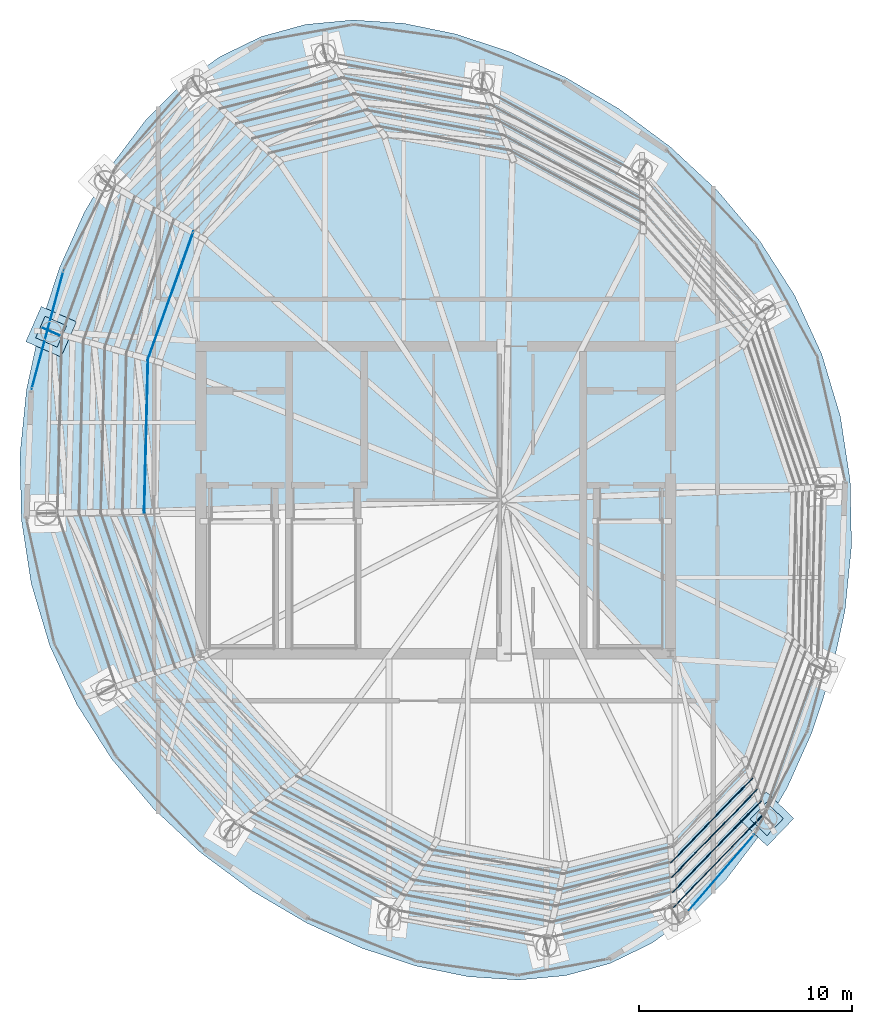
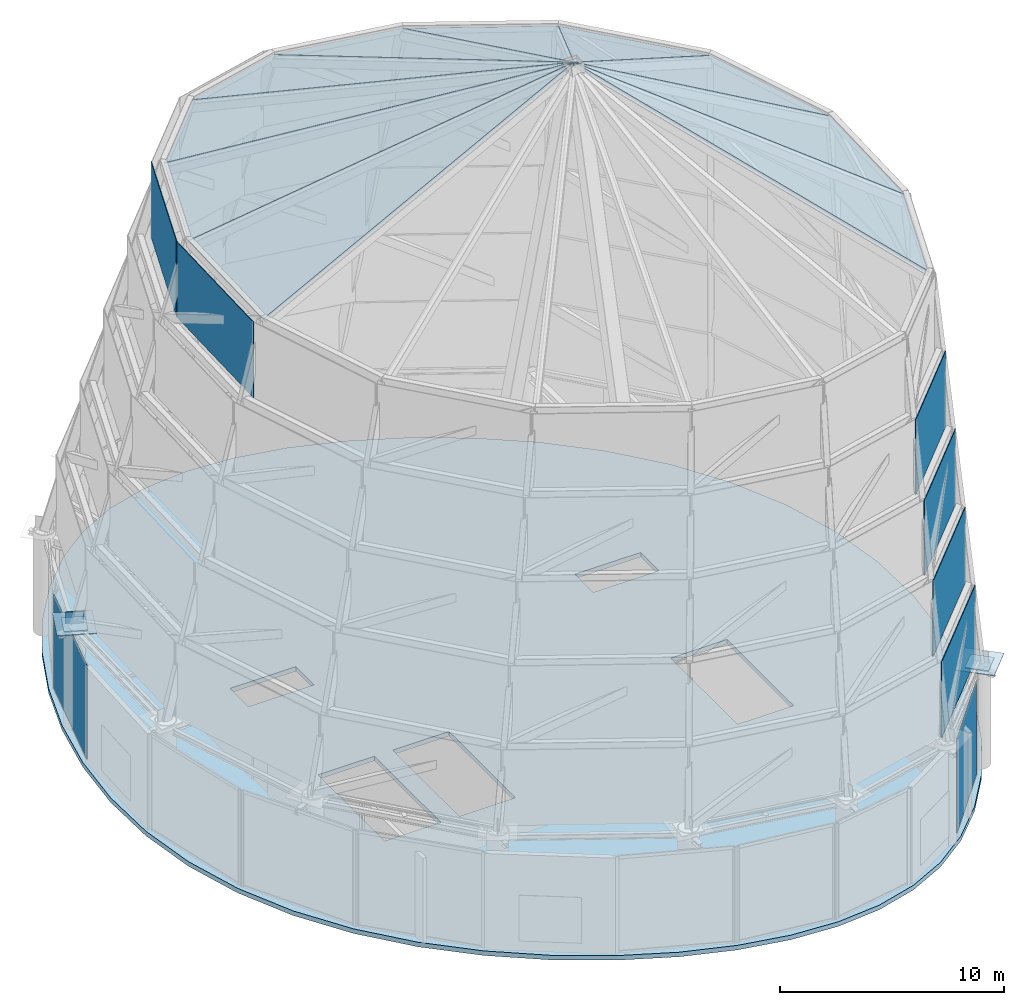
# One storey, part 36 of 40: 13 plates, 11 slabs, 2 elements without a shape of their own.
"""IFC4 building model written with IfcOpenShell, lengths in metres."""

from ifc_helpers import new_model, si_unit, direction, frame, origin, origin_2d, place, context, subcontext, project, spatial, polyline, rectangle, outline, extrude, material, layer, layer_set, type_object, element, aggregate, save


model = new_model("IFC4")

# Units and contexts
model_context = context("Model", 3, precision=1e-05, world=origin(), true_north=direction((0.0, 1.0)))
body_context = subcontext(model_context, "Body", "Model", "MODEL_VIEW")
ifc_project = project(units=[si_unit("LENGTHUNIT", "METRE"), si_unit("AREAUNIT", "SQUARE_METRE"), si_unit("VOLUMEUNIT", "CUBIC_METRE"), si_unit("PLANEANGLEUNIT", "RADIAN"), si_unit("MASSUNIT", "GRAM", prefix="KILO")], contexts=[model_context])

# Site, building, storey
site_placement = place(None, origin())
site = spatial("IfcSite", under=ifc_project, at=site_placement, CompositionType="ELEMENT")
building_placement = place(site_placement, origin())
building = spatial("IfcBuilding", under=site, at=building_placement, Name="Bramvorn Convention Spire", CompositionType="ELEMENT")
storey_placement = place(building_placement, frame((0.0, 0.0, 312.5)))
storey = spatial("IfcBuildingStorey", under=building, at=storey_placement, Name="L79", CompositionType="ELEMENT", Elevation=312.5)

# Plates
ifc_material_1 = material(Name="Steel CSA G40.21 Grade 350 (350W)", Category="steel")
ifc_layer_1 = layer(ifc_material_1, 0.044921875)
ifc_layer_set_1 = layer_set([ifc_layer_1], Name="Steel CSA G40.21 Grade 350 (350W) - PLT-NODE-CAP-45")
plate_type_1 = type_object("IfcPlateType", Name="PLT-NODE-CAP-45", PredefinedType="SHEET", material=ifc_layer_set_1)
for number, where, z_axis, x_axis, name in (
    (1, (53.50634765625, 11.05615234375, 5.5), (0.0, 0.0, 1.0), (0.720048445725, -0.693923796832, 0.0), "L79 CFT mega-column MC02 transition cap plate"),
    (2, (19.976318359375, 33.883544921875, 5.5), (0.0, 0.0, 1.0), (-0.91619221429, 0.400739100257, 0.0), "L79 CFT mega-column MC11 transition cap plate"),
):
    element("IfcPlate", number, at=place(storey_placement, frame(where, z_axis=z_axis, x_axis=x_axis)), inside=storey, type_object=plate_type_1, Name=name, PredefinedType="SHEET", context=body_context, shape_type="SweptSolid", body=[
        extrude(rectangle(XDim=1.800048828125, YDim=1.800048828125, at=origin_2d()), origin(), (0.0, 0.0, 1.0), 0.044921875),
    ])
ifc_layer_2 = layer(ifc_material_1, 0.034912109375)
ifc_layer_set_2 = layer_set([ifc_layer_2], Name="Steel CSA G40.21 Grade 350 (350W) - PLT-NODE-GUSSET-35")
plate_type_2 = type_object("IfcPlateType", Name="PLT-NODE-GUSSET-35", PredefinedType="USERDEFINED", material=ifc_layer_set_2)
plate_1_placement = place(storey_placement, frame((19.976318359375, 33.883544921875, 5.525146484375), z_axis=(0.0, 0.0, 1.0), x_axis=(-0.91619221429, 0.400739100257, 0.0)))
element("IfcPlate", 3, at=plate_1_placement, inside=storey, type_object=plate_type_2, Name="Crown spire leg 11 vertical gusset plate", ObjectType="GUSSET PLATE", PredefinedType="USERDEFINED", context=body_context, shape_type="SweptSolid", body=[
    extrude(rectangle(XDim=0.85009765625, YDim=0.034912109375, at=origin_2d()), origin(), (0.0, 0.0, 1.0), 0.64990234375),
])
ifc_layer_3 = layer(ifc_material_1, 0.06005859375)
ifc_layer_set_3 = layer_set([ifc_layer_3], Name="Steel CSA G40.21 Grade 350 (350W) - PLT-SPIRE-BASE-60")
plate_type_3 = type_object("IfcPlateType", Name="PLT-SPIRE-BASE-60", PredefinedType="USERDEFINED", material=ifc_layer_set_3)
for number, where, z_axis, x_axis, name in (
    (4, (53.50634765625, 11.05615234375, 5.43994140625), (0.0, 0.0, 1.0), (0.720048445725, -0.693923796832, 0.0), "Crown spire leg 02 anchored base plate"),
    (5, (19.976318359375, 33.883544921875, 5.43994140625), (0.0, 0.0, 1.0), (-0.91619221429, 0.400739100257, 0.0), "Crown spire leg 11 anchored base plate"),
):
    element("IfcPlate", number, at=place(storey_placement, frame(where, z_axis=z_axis, x_axis=x_axis)), inside=storey, type_object=plate_type_3, Name=name, ObjectType="BASE PLATE", PredefinedType="USERDEFINED", context=body_context, shape_type="SweptSolid", body=[
        extrude(rectangle(XDim=1.10009765625, YDim=1.10009765625, at=origin_2d()), origin(), (0.0, 0.0, 1.0), 0.06005859375),
    ])

# Curtain wall, plate
ifc_material_2 = material(Name="Anodised Bronze Unitised Curtain Wall", Category="aluminium")
ifc_layer_4 = layer(ifc_material_2, 0.199951171875)
ifc_layer_set_4 = layer_set([ifc_layer_4], Name="Anodised Bronze Unitised Curtain Wall - CW-CROWN-SPIRE")
curtain_wall_type = type_object("IfcCurtainWallType", Name="CW-CROWN-SPIRE", PredefinedType="USERDEFINED", material=ifc_layer_set_4)
curtain_wall_1_placement = place(storey_placement, origin())
curtain_wall_1 = element("IfcCurtainWall", 6, at=curtain_wall_1_placement, inside=storey, type_object=curtain_wall_type, Name="L79 fritted glass curtain wall 02", ObjectType="UNITISED CURTAIN WALL", PredefinedType="USERDEFINED")
ifc_material_3 = material(Name="Laminated Low-E Glass (Triple IGU High-VLT Low-Iron 22%)", Category="glass")
ifc_layer_5 = layer(ifc_material_3, 0.0419921875)
ifc_layer_set_5 = layer_set([ifc_layer_5], Name="Laminated Low-E Glass (Triple IGU High-VLT Low-Iron 22%) - PNL-IGU-4")
plate_type_4 = type_object("IfcPlateType", Name="PNL-IGU-4", PredefinedType="CURTAIN_PANEL", material=ifc_layer_set_5)
plate_2_placement = place(storey_placement, frame((51.38623046875, 8.550537109375, 0.06005859375), z_axis=(0.0, 0.0, 1.0), x_axis=(-0.6540397527, -0.756460178654, 0.0)))
plate_2 = element("IfcPlate", 7, at=plate_2_placement, type_object=plate_type_4, Name="CW6 panel 1.1", PredefinedType="CURTAIN_PANEL", context=body_context, shape_type="SweptSolid", body=[
    extrude(rectangle(XDim=4.690673828125, YDim=0.028076171875, at=origin_2d()), origin(), (0.0, 0.0, 1.0), 5.1298828125),
])
aggregate(curtain_wall_1, [plate_2])

curtain_wall_2_placement = place(storey_placement, origin())
curtain_wall_2 = element("IfcCurtainWall", 8, at=curtain_wall_2_placement, inside=storey, type_object=curtain_wall_type, Name="L79 fritted glass curtain wall 16", ObjectType="UNITISED CURTAIN WALL", PredefinedType="USERDEFINED")
plate_3_placement = place(storey_placement, frame((19.80908203125, 33.96630859375, 0.06005859375), z_axis=(0.0, 0.0, 1.0), x_axis=(0.259964908545, 0.965618064415, 0.0)))
plate_3 = element("IfcPlate", 9, at=plate_3_placement, type_object=plate_type_4, Name="CW6 panel 1.1", PredefinedType="CURTAIN_PANEL", context=body_context, shape_type="SweptSolid", body=[
    extrude(rectangle(XDim=5.741943359375, YDim=0.028076171875, at=origin_2d()), origin(), (0.0, 0.0, 1.0), 5.1298828125),
])
aggregate(curtain_wall_2, [plate_3])

# Plates
ifc_material_4 = material(Name="Laminated Low-E Glass (Crown Laminated Ceramic-Printed Spandrel Glass)", Category="glass")
ifc_layer_6 = layer(ifc_material_4, 0.031982421875)
ifc_layer_set_6 = layer_set([ifc_layer_6], Name="Laminated Low-E Glass (Crown Laminated Ceramic-Printed Spandrel Glass) - PNL-IGU-6")
plate_type_5 = type_object("IfcPlateType", Name="PNL-IGU-6", PredefinedType="SHEET", material=ifc_layer_set_6)
plate_4_placement = place(storey_placement, frame((51.29296875, 9.1376953125, 5.43994140625), z_axis=(0.0, 0.0, 1.0), x_axis=(0.694999441218, 0.719010275801, 0.0)))
element("IfcPlate", 10, at=plate_4_placement, inside=storey, type_object=plate_type_5, Name="Crown spire ceramic-printed glass cladding panel T1-01", PredefinedType="SHEET", context=body_context, shape_type="SweptSolid", body=[
    extrude(rectangle(XDim=6.204833984375, YDim=0.035888671875, at=origin_2d()), origin(), (0.0, 0.0, 1.0), 4.1201171875),
])
plate_5_placement = place(storey_placement, frame((51.172119140625, 9.755859375, 9.43994140625), z_axis=(0.0, 0.0, 1.0), x_axis=(0.694994610402, 0.719014945263, 0.0)))
element("IfcPlate", 11, at=plate_5_placement, inside=storey, type_object=plate_type_5, Name="Crown spire ceramic-printed glass cladding panel T2-01", PredefinedType="SHEET", context=body_context, shape_type="SweptSolid", body=[
    extrude(rectangle(XDim=5.981689453125, YDim=0.035888671875, at=origin_2d()), origin(), (0.0, 0.0, 1.0), 4.1201171875),
])
plate_6_placement = place(storey_placement, frame((51.051513671875, 10.3740234375, 13.43994140625), z_axis=(0.0, 0.0, 1.0), x_axis=(0.694993828512, 0.719015701031, 0.0)))
element("IfcPlate", 12, at=plate_6_placement, inside=storey, type_object=plate_type_5, Name="Crown spire ceramic-printed glass cladding panel T3-01", PredefinedType="SHEET", context=body_context, shape_type="SweptSolid", body=[
    extrude(rectangle(XDim=5.758544921875, YDim=0.035888671875, at=origin_2d()), origin(), (0.0, 0.0, 1.0), 4.1201171875),
])
plate_7_placement = place(storey_placement, frame((50.9306640625, 10.9921875, 17.43994140625), z_axis=(0.0, 0.0, 1.0), x_axis=(0.695002369004, 0.719007445774, 0.0)))
element("IfcPlate", 13, at=plate_7_placement, inside=storey, type_object=plate_type_5, Name="Crown spire ceramic-printed glass cladding panel T4-01", PredefinedType="SHEET", context=body_context, shape_type="SweptSolid", body=[
    extrude(rectangle(XDim=5.535400390625, YDim=0.035888671875, at=origin_2d()), origin(), (0.0, 0.0, 1.0), 4.1201171875),
])
plate_8_placement = place(storey_placement, frame((25.57080078125, 35.564697265625, 21.43994140625), z_axis=(0.0, 0.0, 1.0), x_axis=(-0.335837131846, -0.941920071382, 0.0)))
element("IfcPlate", 14, at=plate_8_placement, inside=storey, type_object=plate_type_5, Name="Crown spire ceramic-printed glass cladding panel T5-10", PredefinedType="SHEET", context=body_context, shape_type="SweptSolid", body=[
    extrude(rectangle(XDim=6.4013671875, YDim=0.035888671875, at=origin_2d()), origin(), (0.0, 0.0, 1.0), 4.1201171875),
])
plate_9_placement = place(storey_placement, frame((24.427734375, 29.039306640625, 21.43994140625), z_axis=(0.0, 0.0, 1.0), x_axis=(-0.02476829476, -0.99969321873, 0.0)))
element("IfcPlate", 15, at=plate_9_placement, inside=storey, type_object=plate_type_5, Name="Crown spire ceramic-printed glass cladding panel T5-11", PredefinedType="SHEET", context=body_context, shape_type="SweptSolid", body=[
    extrude(rectangle(XDim=7.256103515625, YDim=0.035888671875, at=origin_2d()), origin(), (0.0, 0.0, 1.0), 4.1201171875),
])

# Slabs
ifc_material_5 = material(Name="Concrete C40/50", Category="concrete")
ifc_layer_7 = layer(ifc_material_5, 0.219970703125)
ifc_layer_set_7 = layer_set([ifc_layer_7], Name="Concrete C40/50 - ROOF-SPIRE-220")
slab_type_1 = type_object("IfcSlabType", Name="ROOF-SPIRE-220", PredefinedType="ROOF", material=ifc_layer_set_7)
slab_1_placement = place(storey_placement, frame((52.5029296875, 13.770263671875, 25.5107421875), z_axis=(0.448522352811, -0.159920684775, 0.879348095813), x_axis=(0.335841171636, 0.941918631005, 0.0)))
element("IfcSlab", 16, at=slab_1_placement, inside=storey, type_object=slab_type_1, Name="Crown spire sloped concrete roof facet 02", PredefinedType="ROOF", context=body_context, shape_type="SweptSolid", body=[
    extrude(outline(polyline([(0.0, 0.0), (6.121668147807777, 0.0), (7.711023954473011, 16.733222239597602), (0.0, 0.0)])), origin(), (0.0, 0.0, -1.0), 0.219970703125),
])
slab_2_placement = place(storey_placement, frame((54.561767578125, 19.553466796875, 25.5107421875), z_axis=(0.508654946454, -0.01261009875, 0.860878116145), x_axis=(0.024783452041, 0.99969284308, 0.0)))
element("IfcSlab", 17, at=slab_2_placement, inside=storey, type_object=slab_type_1, Name="Crown spire sloped concrete roof facet 03", PredefinedType="ROOF", context=body_context, shape_type="SweptSolid", body=[
    extrude(outline(polyline([(0.0, 0.0), (6.954772925382541, 0.0), (6.106480514601339, 15.66006622351063), (0.0, 0.0)])), origin(), (0.0, 0.0, -1.0), 0.219970703125),
])
slab_3_placement = place(storey_placement, frame((54.731201171875, 26.524658203125, 25.5107421875), z_axis=(0.496372146483, 0.167960149061, 0.851706569497), x_axis=(-0.320523009442, 0.947240729919, 0.0)))
element("IfcSlab", 18, at=slab_3_placement, inside=storey, type_object=slab_type_1, Name="Crown spire sloped concrete roof facet 04", PredefinedType="ROOF", context=body_context, shape_type="SweptSolid", body=[
    extrude(outline(polyline([(0.0, 0.0), (7.1393628872722985, 0.0), (3.839401164258547, 15.20558887156862), (0.0, 0.0)])), origin(), (0.0, 0.0, -1.0), 0.219970703125),
])
slab_4_placement = place(storey_placement, frame((52.433349609375, 33.3037109375, 25.5107421875), z_axis=(0.387688723875, 0.340657112025, 0.856533820352), x_axis=(-0.660071924547, 0.751202405763, 0.0)))
element("IfcSlab", 19, at=slab_4_placement, inside=storey, type_object=slab_type_1, Name="Crown spire sloped concrete roof facet 05", PredefinedType="ROOF", context=body_context, shape_type="SweptSolid", body=[
    extrude(outline(polyline([(0.0, 0.0), (7.13959541243715, 4.440892098500626e-16), (1.932644606198902, 15.439174794733898), (0.0, 0.0)])), origin(), (0.0, 0.0, -1.0), 0.219970703125),
])
slab_5_placement = place(storey_placement, frame((47.706298828125, 38.678466796875, 25.5107421875), z_axis=(0.234020889471, 0.42952766528, 0.87220422382), x_axis=(-0.878124877489, 0.478431499312, 0.0)))
element("IfcSlab", 20, at=slab_5_placement, inside=storey, type_object=slab_type_1, Name="Crown spire sloped concrete roof facet 06", PredefinedType="ROOF", context=body_context, shape_type="SweptSolid", body=[
    extrude(outline(polyline([(0.0, 0.0), (6.9547941197570395, 0.0), (-0.342200489662857, 16.28978765559712), (0.0, 0.0)])), origin(), (0.0, 0.0, -1.0), 0.219970703125),
])
slab_6_placement = place(storey_placement, frame((41.582763671875, 42.01171875, 25.5107421875), z_axis=(0.0812099227, 0.443445371575, 0.89261478303), x_axis=(-0.98364131757, 0.180138164665, 0.0)))
element("IfcSlab", 21, at=slab_6_placement, inside=storey, type_object=slab_type_1, Name="Crown spire sloped concrete roof facet 07", PredefinedType="ROOF", context=body_context, shape_type="SweptSolid", body=[
    extrude(outline(polyline([(0.0, 0.0), (6.121874313393399, -1.1102230246251565e-16), (-2.493087119323359, 17.67449118057379), (0.0, 0.0)])), origin(), (0.0, 0.0, -1.0), 0.219970703125),
])
slab_7_placement = place(storey_placement, frame((35.54638671875, 43.1142578125, 25.5107421875), z_axis=(-0.098447383434, 0.394063869598, 0.91379526119), x_axis=(-0.970182217292, -0.242376701128, 0.0)))
element("IfcSlab", 22, at=slab_7_placement, inside=storey, type_object=slab_type_1, Name="Crown spire sloped concrete roof facet 08", PredefinedType="ROOF", context=body_context, shape_type="SweptSolid", body=[
    extrude(outline(polyline([(0.0, 0.0), (5.060562728568435, 0.0), (-1.326520220302057, 19.617198017328846), (0.0, 0.0)])), origin(), (0.0, 0.0, -1.0), 0.219970703125),
])
slab_8_placement = place(storey_placement, frame((30.62548828125, 41.881103515625, 25.5107421875), z_axis=(-0.283252873315, 0.273788304682, 0.919134252423), x_axis=(-0.694992169362, -0.719017304746, 0.0)))
element("IfcSlab", 23, at=slab_8_placement, inside=storey, type_object=slab_type_1, Name="Crown spire sloped concrete roof facet 09", PredefinedType="ROOF", context=body_context, shape_type="SweptSolid", body=[
    extrude(outline(polyline([(0.0, 0.0), (5.0606179447697315, 0.0), (4.0654922125955615, 20.22624680251301), (0.0, 0.0)])), origin(), (0.0, 0.0, -1.0), 0.219970703125),
])
slab_9_placement = place(storey_placement, frame((27.100830078125, 38.229736328125, 25.5107421875), z_axis=(-0.393269704951, 0.140220348268, 0.908667812294), x_axis=(-0.335841171636, -0.941918631005, 0.0)))
element("IfcSlab", 24, at=slab_9_placement, inside=storey, type_object=slab_type_1, Name="Crown spire sloped concrete roof facet 10", PredefinedType="ROOF", context=body_context, shape_type="SweptSolid", body=[
    extrude(outline(polyline([(0.0, 0.0), (6.121668147807777, 0.0), (6.774423929181228, 19.084165687136387), (0.0, 0.0)])), origin(), (0.0, 0.0, -1.0), 0.219970703125),
])
slab_10_placement = place(storey_placement, frame((25.0419921875, 32.446533203125, 25.5107421875), z_axis=(-0.439708576671, 0.010900844692, 0.89807435059), x_axis=(-0.024783452041, -0.99969284308, 0.0)))
element("IfcSlab", 25, at=slab_10_placement, inside=storey, type_object=slab_type_1, Name="Crown spire sloped concrete roof facet 11", PredefinedType="ROOF", context=body_context, shape_type="SweptSolid", body=[
    extrude(outline(polyline([(0.0, 0.0), (6.954772925382541, -2.7755575615628914e-17), (6.037370019189087, 18.115566920933656), (0.0, 0.0)])), origin(), (0.0, 0.0, -1.0), 0.219970703125),
])
ifc_material_6 = material(Name="Concrete C50/60", Category="concrete")
ifc_layer_8 = layer(ifc_material_6, 0.25)
ifc_layer_set_8 = layer_set([ifc_layer_8], Name="Concrete C50/60 - SLB-Z1-250")
slab_type_2 = type_object("IfcSlabType", Name="SLB-Z1-250", PredefinedType="FLOOR", material=ifc_layer_set_8)
slab_11_placement = place(storey_placement, frame((0.0, 0.0, -0.25)))
element("IfcSlab", 26, at=slab_11_placement, inside=storey, type_object=slab_type_2, Name="L79 tower floor slab", PredefinedType="FLOOR", context=body_context, shape_type="SweptSolid", body=[
    extrude(outline(polyline([(46.181640625, 4.29052734375), (48.12890625, 5.236572265625), (49.937744140625, 6.55078125), (51.606201171875, 8.22216796875), (53.12548828125, 10.22900390625), (54.4765625, 12.5400390625), (55.62939453125, 15.11279296875), (56.54443359375, 17.89599609375), (57.177001953125, 20.830810546875), (57.481201171875, 23.85400390625), (57.417724609375, 26.901123046875), (56.9580078125, 29.90869140625), (56.090087890625, 32.817626953125), (54.822021484375, 35.575927734375), (53.1826171875, 38.138916015625), (51.219482421875, 40.4697265625), (48.995361328125, 42.540283203125), (46.5830078125, 44.32763671875), (44.05859375, 45.814697265625), (41.49462890625, 46.986572265625), (38.954345703125, 47.8310546875), (36.488525390625, 48.3359375), (34.132080078125, 48.490234375), (31.90576171875, 48.283935546875), (29.818359375, 47.70947265625), (27.87109375, 46.763427734375), (26.062255859375, 45.44921875), (24.393798828125, 43.77783203125), (22.87451171875, 41.77099609375), (21.5234375, 39.4599609375), (20.37060546875, 36.88720703125), (19.45556640625, 34.10400390625), (18.822998046875, 31.169189453125), (18.518798828125, 28.14599609375), (18.582275390625, 25.098876953125), (19.0419921875, 22.09130859375), (19.909912109375, 19.182373046875), (21.177978515625, 16.424072265625), (22.8173828125, 13.861083984375), (24.780517578125, 11.5302734375), (27.004638671875, 9.459716796875), (29.4169921875, 7.67236328125), (31.94140625, 6.185302734375), (34.50537109375, 5.013427734375), (37.045654296875, 4.1689453125), (39.511474609375, 3.6640625), (41.867919921875, 3.509765625), (44.09423828125, 3.716064453125), (46.181640625, 4.29052734375)]), holes=[polyline([(27.449951171875, 25.050048828125), (27.449951171875, 19.10009765625), (30.35009765625, 19.10009765625), (30.35009765625, 25.050048828125), (27.449951171875, 25.050048828125)]), polyline([(45.64990234375, 25.050048828125), (45.64990234375, 19.10009765625), (48.550048828125, 19.10009765625), (48.550048828125, 25.050048828125), (45.64990234375, 25.050048828125)]), polyline([(31.300048828125, 25.050048828125), (31.300048828125, 19.10009765625), (34.199951171875, 19.10009765625), (34.199951171875, 25.050048828125), (31.300048828125, 25.050048828125)]), polyline([(27.39990234375, 31.219970703125), (30.800048828125, 31.219970703125), (30.800048828125, 32.85009765625), (27.39990234375, 32.85009765625), (27.39990234375, 31.219970703125)]), polyline([(45.199951171875, 31.219970703125), (48.60009765625, 31.219970703125), (48.60009765625, 32.85009765625), (45.199951171875, 32.85009765625), (45.199951171875, 31.219970703125)])]), origin(), (0.0, 0.0, 1.0), 0.25),
])

save(model, "model.ifc")
